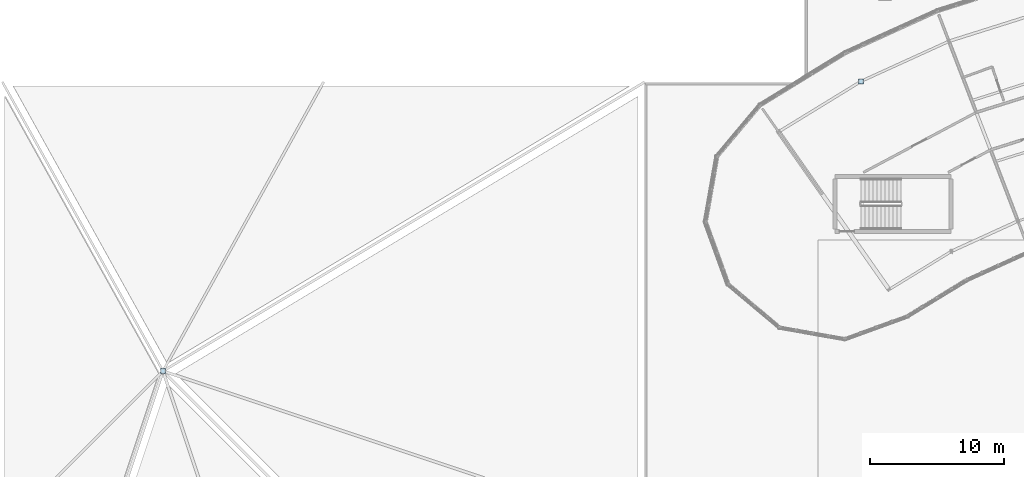
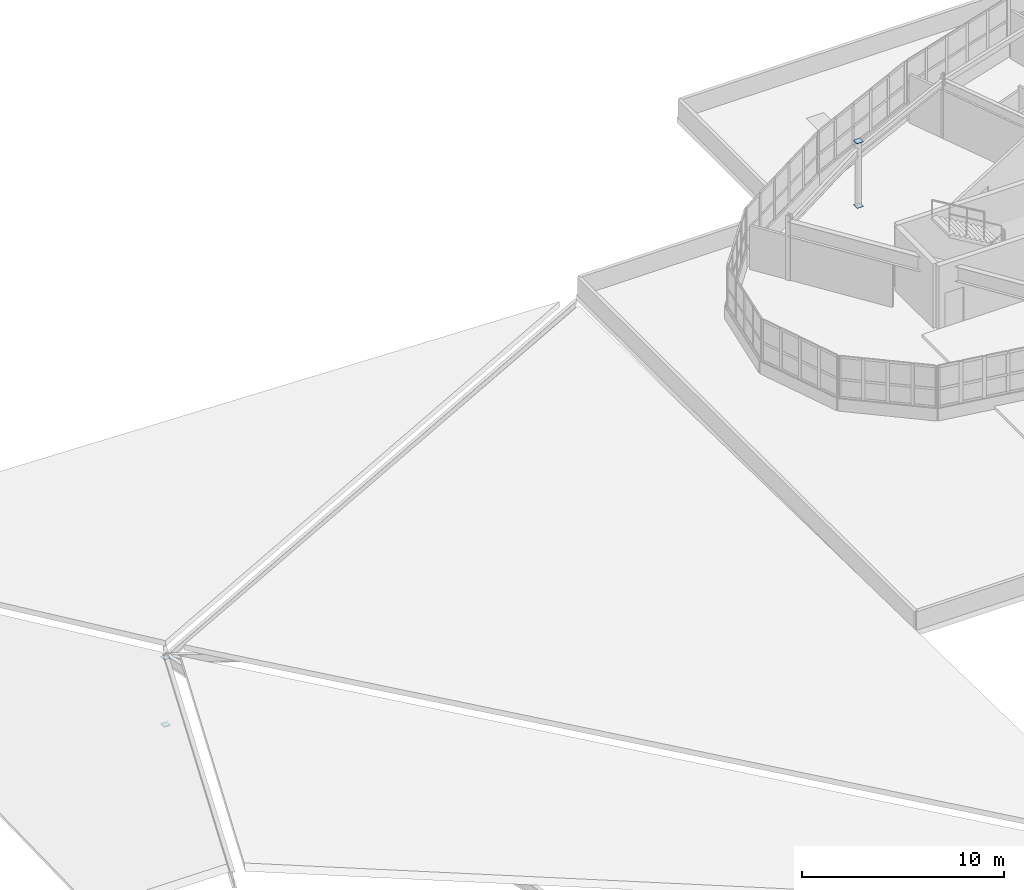
# One storey, part 90 of 128: 4 plates.
"""IFC4 building model written with IfcOpenShell, lengths in metres."""

from ifc_helpers import new_model, si_unit, direction, frame, origin, origin_2d, place, context, subcontext, project, spatial, rectangle, extrude, material, layer, layer_set, type_object, element, save


model = new_model("IFC4")

# Units and contexts
model_context = context("Model", 3, precision=1e-05, world=origin(), true_north=direction((0.0, 1.0)))
body_context = subcontext(model_context, "Body", "Model", "MODEL_VIEW")
ifc_project = project(units=[si_unit("LENGTHUNIT", "METRE"), si_unit("AREAUNIT", "SQUARE_METRE"), si_unit("VOLUMEUNIT", "CUBIC_METRE"), si_unit("PLANEANGLEUNIT", "RADIAN"), si_unit("MASSUNIT", "GRAM", prefix="KILO")], contexts=[model_context])

# Site, building, storey
site_placement = place(None, origin())
site = spatial("IfcSite", under=ifc_project, at=site_placement, CompositionType="ELEMENT")
building_placement = place(site_placement, origin())
building = spatial("IfcBuilding", under=site, at=building_placement, Name="Tarnwether General Hospital", CompositionType="ELEMENT")
storey_placement = place(building_placement, frame((0.0, 0.0, 14.39990234375)))
storey = spatial("IfcBuildingStorey", under=building, at=storey_placement, Name="L03", CompositionType="ELEMENT", Elevation=14.39990234375)

# Plates
ifc_material = material(Name="Steel Grade 350 (350 MPa)", Category="steel")
ifc_layer = layer(ifc_material, 0.02490234375)
ifc_layer_set = layer_set([ifc_layer], Name="Steel Grade 350 (350 MPa)")
plate_type = type_object("IfcPlateType", Name="PT-GUS2", PredefinedType="USERDEFINED", material=ifc_layer_set)
for number, where, z_axis, x_axis, name in (
    (1, (64.20703125, 115.27001953125, -0.02490234375), (0.0, 0.0, 1.0), (1.0, 0.0, 0.0), "Hollow Section Welded End Cap Plate 0467"),
    (2, (64.20703125, 115.27001953125, 3.900146484375), (0.0, 0.0, 1.0), (1.0, 0.0, 0.0), "Hollow Section Welded End Cap Plate 0468"),
    (3, (12.0, 93.60009765625, -0.02490234375), (0.0, 0.0, 1.0), (1.0, 0.0, 0.0), "Hollow Section Welded End Cap Plate 1385"),
    (4, (12.0, 93.60009765625, 4.050048828125), (0.0, 0.0, 1.0), (1.0, 0.0, 0.0), "Hollow Section Welded End Cap Plate 1386"),
):
    element("IfcPlate", number, at=place(storey_placement, frame(where, z_axis=z_axis, x_axis=x_axis)), inside=storey, type_object=plate_type, Name=name, ObjectType="GUSSET", PredefinedType="USERDEFINED", context=body_context, shape_type="SweptSolid", body=[
        extrude(rectangle(XDim=0.364013671875, YDim=0.364013671875, at=origin_2d()), origin(), (0.0, 0.0, 1.0), 0.02490234375),
    ])

save(model, "model.ifc")
